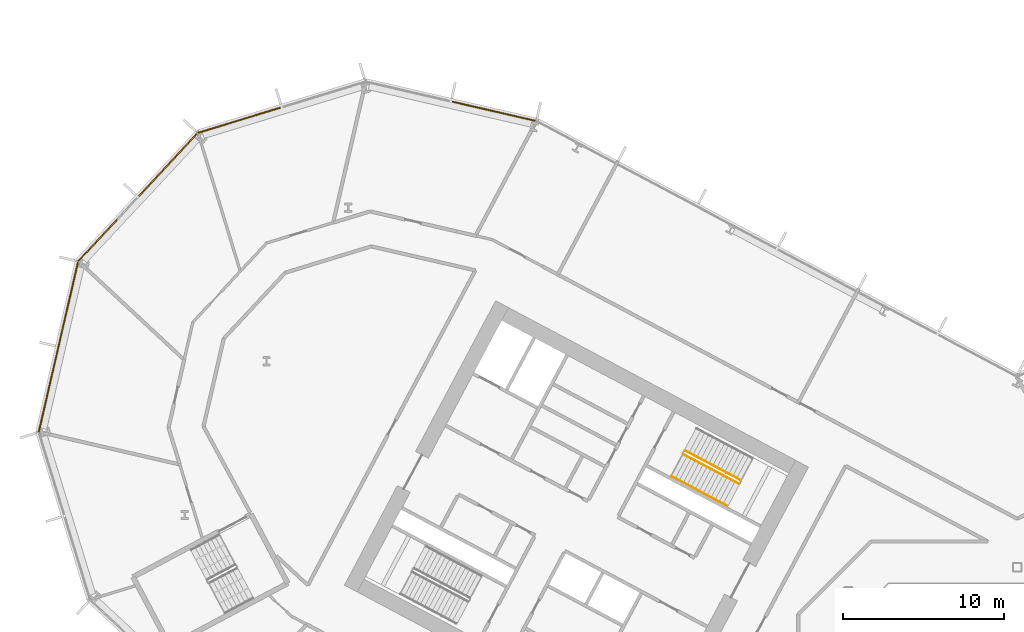
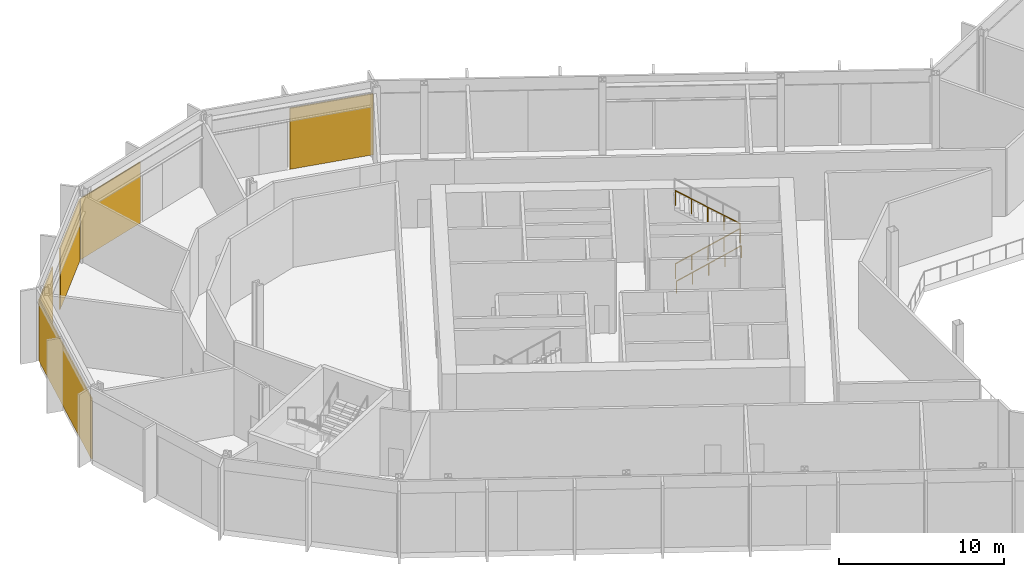
# One storey, part 24 of 31: 5 coverings, 3 railings, 4 elements without a shape of their own.
"""IFC4 building model written with IfcOpenShell, lengths in metres."""

from ifc_helpers import new_model, si_unit, direction, frame, origin, origin_2d, place, context, subcontext, project, spatial, polyline, rectangle, outline, extrude, material, layer, layer_set, type_object, element, aggregate, save


model = new_model("IFC4")

# Units and contexts
model_context = context("Model", 3, precision=1e-05, world=origin(), true_north=direction((0.0, 1.0)))
body_context = subcontext(model_context, "Body", "Model", "MODEL_VIEW")
ifc_project = project(units=[si_unit("LENGTHUNIT", "METRE"), si_unit("AREAUNIT", "SQUARE_METRE"), si_unit("VOLUMEUNIT", "CUBIC_METRE"), si_unit("PLANEANGLEUNIT", "RADIAN"), si_unit("MASSUNIT", "GRAM", prefix="KILO")], contexts=[model_context])

# Site, building, storey
site_placement = place(None, origin())
site = spatial("IfcSite", under=ifc_project, at=site_placement, CompositionType="ELEMENT")
building_placement = place(site_placement, origin())
building = spatial("IfcBuilding", under=site, at=building_placement, Name="Cormorant Relay Tower", CompositionType="ELEMENT")
storey_placement = place(building_placement, frame((0.0, 0.0, 23.0)))
storey = spatial("IfcBuildingStorey", under=building, at=storey_placement, Name="L04", CompositionType="ELEMENT", Elevation=23.0)

# Curtain wall, covering
ifc_material_1 = material(Name="Aluminium 6063-T6 anodised bronze", Category="aluminium")
ifc_layer_1 = layer(ifc_material_1, 0.235107421875)
ifc_layer_set_1 = layer_set([ifc_layer_1], Name="CW6 data hall curtain wall with mineral wool panels")
curtain_wall_type = type_object("IfcCurtainWallType", Name="CW6 data hall curtain wall with mineral wool panels", PredefinedType="NOTDEFINED", material=ifc_layer_set_1)
curtain_wall_1_placement = place(storey_placement, origin())
curtain_wall_1 = element("IfcCurtainWall", 1, at=curtain_wall_1_placement, inside=storey, type_object=curtain_wall_type, Name="CW6 curtain wall 8", PredefinedType="NOTDEFINED")
ifc_material_2 = material(Name="Mineral wool cored anodised bronze aluminium cassette panel", Category="aluminium")
ifc_layer_2 = layer(ifc_material_2, 0.074951171875)
ifc_layer_set_2 = layer_set([ifc_layer_2], Name="CW6 mineral wool cassette panel 75")
covering_type = type_object("IfcCoveringType", Name="CW6 mineral wool cassette panel 75", PredefinedType="CLADDING", material=ifc_layer_set_2)
covering_1_placement = place(storey_placement, frame((-32.51318359375, 40.31591796875, 0.0), z_axis=(0.0, 0.0, 1.0), x_axis=(-0.974370064785, 0.224951054344, 0.0)))
covering_1 = element("IfcCovering", 2, at=covering_1_placement, type_object=covering_type, Name="CW6 panel S00", PredefinedType="CLADDING", context=body_context, shape_type="SweptSolid", body=[
    extrude(rectangle(XDim=5.28515625, YDim=0.074951171875, at=origin_2d()), origin(), (0.0, 0.0, 1.0), 4.5),
])
aggregate(curtain_wall_1, [covering_1])

curtain_wall_2_placement = place(storey_placement, origin())
curtain_wall_2 = element("IfcCurtainWall", 3, at=curtain_wall_2_placement, inside=storey, type_object=curtain_wall_type, Name="CW6 curtain wall 9", PredefinedType="NOTDEFINED")
covering_2_placement = place(storey_placement, frame((-48.308837890625, 39.754638671875, 0.0), z_axis=(0.0, 0.0, 1.0), x_axis=(-0.956304755963, -0.292371704723, 0.0)))
covering_2 = element("IfcCovering", 4, at=covering_2_placement, type_object=covering_type, Name="CW6 panel S02", PredefinedType="CLADDING", context=body_context, shape_type="SweptSolid", body=[
    extrude(rectangle(XDim=5.360107421875, YDim=0.074951171875, at=origin_2d()), origin(), (0.0, 0.0, 1.0), 4.5),
])
aggregate(curtain_wall_2, [covering_2])

# Curtain wall, coverings
curtain_wall_3_placement = place(storey_placement, origin())
curtain_wall_3 = element("IfcCurtainWall", 5, at=curtain_wall_3_placement, inside=storey, type_object=curtain_wall_type, Name="CW6 curtain wall 10", PredefinedType="NOTDEFINED")
covering_3_placement = place(storey_placement, frame((-52.74169921875, 36.973388671875, 0.0), z_axis=(0.0, 0.0, 1.0), x_axis=(-0.681998360062, -0.731353701619, 0.0)))
covering_3 = element("IfcCovering", 6, at=covering_3_placement, type_object=covering_type, Name="CW6 panel S00", PredefinedType="CLADDING", context=body_context, shape_type="SweptSolid", body=[
    extrude(rectangle(XDim=5.28515625, YDim=0.074951171875, at=origin_2d()), origin(), (0.0, 0.0, 1.0), 4.5),
])
covering_4_placement = place(storey_placement, frame((-57.087890625, 32.3125, 0.0), z_axis=(0.0, 0.0, 1.0), x_axis=(-0.681998360062, -0.731353701619, 0.0)))
covering_4 = element("IfcCovering", 7, at=covering_4_placement, type_object=covering_type, Name="CW6 panel S02", PredefinedType="CLADDING", context=body_context, shape_type="SweptSolid", body=[
    extrude(rectangle(XDim=3.560302734375, YDim=0.074951171875, at=origin_2d()), origin(), (0.0, 0.0, 1.0), 4.5),
])
aggregate(curtain_wall_3, [covering_3, covering_4])

# Curtain wall, covering
curtain_wall_4_placement = place(storey_placement, origin())
curtain_wall_4 = element("IfcCurtainWall", 8, at=curtain_wall_4_placement, inside=storey, type_object=curtain_wall_type, Name="CW6 curtain wall 11", PredefinedType="NOTDEFINED")
covering_5_placement = place(storey_placement, frame((-59.542236328125, 25.6611328125, 0.0), z_axis=(0.0, 0.0, 1.0), x_axis=(-0.224951054344, -0.974370064785, 0.0)))
covering_5 = element("IfcCovering", 9, at=covering_5_placement, type_object=covering_type, Name="CW6 panel S00", PredefinedType="CLADDING", context=body_context, shape_type="SweptSolid", body=[
    extrude(rectangle(XDim=10.79541015625, YDim=0.074951171875, at=origin_2d()), origin(), (0.0, 0.0, 1.0), 4.5),
])
aggregate(curtain_wall_4, [covering_5])

# Railings
ifc_material_3 = material(Name="Steel ASTM A572 Grade 50 (Fy 345 MPa)", Category="steel")
railing_type_1 = type_object("IfcRailingType", Name="Stair guard 1100", PredefinedType="GUARDRAIL", material=ifc_material_3)
railing_1_placement = place(storey_placement, frame((-20.75048828125, 19.017822265625, 0.179931640625)))
element("IfcRailing", 10, at=railing_1_placement, inside=storey, type_object=railing_type_1, Name="L04 A1 stair guard 1", PredefinedType="GUARDRAIL", context=body_context, shape_type="SweptSolid", body=[
    extrude(outline(polyline([(0.022216796875, 0.00927734375), (0.00927734375, 0.022216796875), (-0.00927734375, 0.022216796875), (-0.022216796875, 0.00927734375), (-0.022216796875, -0.00927734375), (-0.00927734375, -0.022216796875), (0.00927734375, -0.022216796875), (0.022216796875, -0.00927734375), (0.022216796875, 0.00927734375)])), frame((0.0, 0.0, 1.076171875), z_axis=(0.74271721126, -0.394907409077, 0.540758062681), x_axis=(0.469469396681, 0.882948744594, 0.0)), (0.0, 0.0, 1.0), 4.66015625),
    extrude(outline(polyline([(0.019287109375, 0.008056640625), (0.008056640625, 0.019287109375), (-0.008056640625, 0.019287109375), (-0.019287109375, 0.008056640625), (-0.019287109375, -0.008056640625), (-0.008056640625, -0.019287109375), (0.008056640625, -0.019287109375), (0.019287109375, -0.008056640625), (0.019287109375, 0.008056640625)])), origin(), (0.0, 0.0, 1.0), 1.052001953125),
    extrude(outline(polyline([(0.019287109375, 0.008056640625), (0.008056640625, 0.019287109375), (-0.008056640625, 0.019287109375), (-0.019287109375, 0.008056640625), (-0.019287109375, -0.008056640625), (-0.008056640625, -0.019287109375), (0.008056640625, -0.019287109375), (0.019287109375, -0.008056640625), (0.019287109375, 0.008056640625)])), frame((0.865234375, -0.4599609375, 0.6298828125)), (0.0, 0.0, 1.0), 1.052001953125),
    extrude(outline(polyline([(0.019287109375, 0.008056640625), (0.008056640625, 0.019287109375), (-0.008056640625, 0.019287109375), (-0.019287109375, 0.008056640625), (-0.019287109375, -0.008056640625), (-0.008056640625, -0.019287109375), (0.008056640625, -0.019287109375), (0.019287109375, -0.008056640625), (0.019287109375, 0.008056640625)])), frame((1.73046875, -0.920166015625, 1.260009765625)), (0.0, 0.0, 1.0), 1.052001953125),
    extrude(outline(polyline([(0.019287109375, 0.008056640625), (0.008056640625, 0.019287109375), (-0.008056640625, 0.019287109375), (-0.019287109375, 0.008056640625), (-0.019287109375, -0.008056640625), (-0.008056640625, -0.019287109375), (0.008056640625, -0.019287109375), (0.019287109375, -0.008056640625), (0.019287109375, 0.008056640625)])), frame((2.595947265625, -1.38037109375, 1.89013671875)), (0.0, 0.0, 1.0), 1.052001953125),
    extrude(outline(polyline([(0.019287109375, 0.008056640625), (0.008056640625, 0.019287109375), (-0.008056640625, 0.019287109375), (-0.019287109375, 0.008056640625), (-0.019287109375, -0.008056640625), (-0.008056640625, -0.019287109375), (0.008056640625, -0.019287109375), (0.019287109375, -0.008056640625), (0.019287109375, 0.008056640625)])), frame((3.461181640625, -1.84033203125, 2.52001953125)), (0.0, 0.0, 1.0), 1.052001953125),
])
railing_2_placement = place(storey_placement, frame((-17.172119140625, 17.398193359375, 2.8798828125)))
element("IfcRailing", 11, at=railing_2_placement, inside=storey, type_object=railing_type_1, Name="L04 A1 stair guard 3", PredefinedType="GUARDRAIL", context=body_context, shape_type="SweptSolid", body=[
    extrude(outline(polyline([(0.022216796875, 0.00927734375), (0.00927734375, 0.022216796875), (-0.00927734375, 0.022216796875), (-0.022216796875, 0.00927734375), (-0.022216796875, -0.00927734375), (-0.00927734375, -0.022216796875), (0.00927734375, -0.022216796875), (0.022216796875, -0.00927734375), (0.022216796875, 0.00927734375)])), frame((0.0, 0.0, 1.076171875), z_axis=(-0.74271721126, 0.394907409077, 0.540758062681), x_axis=(-0.469469396681, -0.882948744594, 0.0)), (0.0, 0.0, 1.0), 4.66015625),
    extrude(outline(polyline([(0.019287109375, 0.008056640625), (0.008056640625, 0.019287109375), (-0.008056640625, 0.019287109375), (-0.019287109375, 0.008056640625), (-0.019287109375, -0.008056640625), (-0.008056640625, -0.019287109375), (0.008056640625, -0.019287109375), (0.019287109375, -0.008056640625), (0.019287109375, 0.008056640625)])), origin(), (0.0, 0.0, 1.0), 1.052001953125),
    extrude(outline(polyline([(0.019287109375, 0.008056640625), (0.008056640625, 0.019287109375), (-0.008056640625, 0.019287109375), (-0.019287109375, 0.008056640625), (-0.019287109375, -0.008056640625), (-0.008056640625, -0.019287109375), (0.008056640625, -0.019287109375), (0.019287109375, -0.008056640625), (0.019287109375, 0.008056640625)])), frame((-0.865234375, 0.4599609375, 0.6298828125)), (0.0, 0.0, 1.0), 1.052001953125),
    extrude(outline(polyline([(0.019287109375, 0.008056640625), (0.008056640625, 0.019287109375), (-0.008056640625, 0.019287109375), (-0.019287109375, 0.008056640625), (-0.019287109375, -0.008056640625), (-0.008056640625, -0.019287109375), (0.008056640625, -0.019287109375), (0.019287109375, -0.008056640625), (0.019287109375, 0.008056640625)])), frame((-1.73046875, 0.920166015625, 1.260009765625)), (0.0, 0.0, 1.0), 1.052001953125),
    extrude(outline(polyline([(0.019287109375, 0.008056640625), (0.008056640625, 0.019287109375), (-0.008056640625, 0.019287109375), (-0.019287109375, 0.008056640625), (-0.019287109375, -0.008056640625), (-0.008056640625, -0.019287109375), (0.008056640625, -0.019287109375), (0.019287109375, -0.008056640625), (0.019287109375, 0.008056640625)])), frame((-2.595947265625, 1.38037109375, 1.89013671875)), (0.0, 0.0, 1.0), 1.052001953125),
    extrude(outline(polyline([(0.019287109375, 0.008056640625), (0.008056640625, 0.019287109375), (-0.008056640625, 0.019287109375), (-0.019287109375, 0.008056640625), (-0.019287109375, -0.008056640625), (-0.008056640625, -0.019287109375), (0.008056640625, -0.019287109375), (0.019287109375, -0.008056640625), (0.019287109375, 0.008056640625)])), frame((-3.461181640625, 1.84033203125, 2.52001953125)), (0.0, 0.0, 1.0), 1.052001953125),
])
ifc_material_4 = material(Name="Steel ASTM A572 Grade 50 (Fy 345 MPa)", Category="steel")
railing_type_2 = type_object("IfcRailingType", Name="Stair handrail 900", PredefinedType="HANDRAIL", material=ifc_material_4)
railing_3_placement = place(storey_placement, frame((-21.478271484375, 17.6494140625, 0.179931640625)))
element("IfcRailing", 12, at=railing_3_placement, inside=storey, type_object=railing_type_2, Name="L04 A1 stair handrail 1", PredefinedType="HANDRAIL", context=body_context, shape_type="SweptSolid", body=[
    extrude(outline(polyline([(0.022216796875, 0.00927734375), (0.00927734375, 0.022216796875), (-0.00927734375, 0.022216796875), (-0.022216796875, 0.00927734375), (-0.022216796875, -0.00927734375), (-0.00927734375, -0.022216796875), (0.00927734375, -0.022216796875), (0.022216796875, -0.00927734375), (0.022216796875, 0.00927734375)])), frame((0.0, 0.0, 0.8759765625), z_axis=(0.74271721126, -0.394907409077, 0.540758062681), x_axis=(0.469469396681, 0.882948744594, 0.0)), (0.0, 0.0, 1.0), 4.66015625),
    extrude(outline(polyline([(0.019287109375, 0.008056640625), (0.008056640625, 0.019287109375), (-0.008056640625, 0.019287109375), (-0.019287109375, 0.008056640625), (-0.019287109375, -0.008056640625), (-0.008056640625, -0.019287109375), (0.008056640625, -0.019287109375), (0.019287109375, -0.008056640625), (0.019287109375, 0.008056640625)])), origin(), (0.0, 0.0, 1.0), 0.851806640625),
    extrude(outline(polyline([(0.019287109375, 0.008056640625), (0.008056640625, 0.019287109375), (-0.008056640625, 0.019287109375), (-0.019287109375, 0.008056640625), (-0.019287109375, -0.008056640625), (-0.008056640625, -0.019287109375), (0.008056640625, -0.019287109375), (0.019287109375, -0.008056640625), (0.019287109375, 0.008056640625)])), frame((0.865234375, -0.4599609375, 0.6298828125)), (0.0, 0.0, 1.0), 0.851806640625),
    extrude(outline(polyline([(0.019287109375, 0.008056640625), (0.008056640625, 0.019287109375), (-0.008056640625, 0.019287109375), (-0.019287109375, 0.008056640625), (-0.019287109375, -0.008056640625), (-0.008056640625, -0.019287109375), (0.008056640625, -0.019287109375), (0.019287109375, -0.008056640625), (0.019287109375, 0.008056640625)])), frame((1.73046875, -0.920166015625, 1.260009765625)), (0.0, 0.0, 1.0), 0.851806640625),
    extrude(outline(polyline([(0.019287109375, 0.008056640625), (0.008056640625, 0.019287109375), (-0.008056640625, 0.019287109375), (-0.019287109375, 0.008056640625), (-0.019287109375, -0.008056640625), (-0.008056640625, -0.019287109375), (0.008056640625, -0.019287109375), (0.019287109375, -0.008056640625), (0.019287109375, 0.008056640625)])), frame((2.595947265625, -1.38037109375, 1.89013671875)), (0.0, 0.0, 1.0), 0.851806640625),
    extrude(outline(polyline([(0.019287109375, 0.008056640625), (0.008056640625, 0.019287109375), (-0.008056640625, 0.019287109375), (-0.019287109375, 0.008056640625), (-0.019287109375, -0.008056640625), (-0.008056640625, -0.019287109375), (0.008056640625, -0.019287109375), (0.019287109375, -0.008056640625), (0.019287109375, 0.008056640625)])), frame((3.461181640625, -1.84033203125, 2.52001953125)), (0.0, 0.0, 1.0), 0.851806640625),
])

save(model, "model.ifc")
